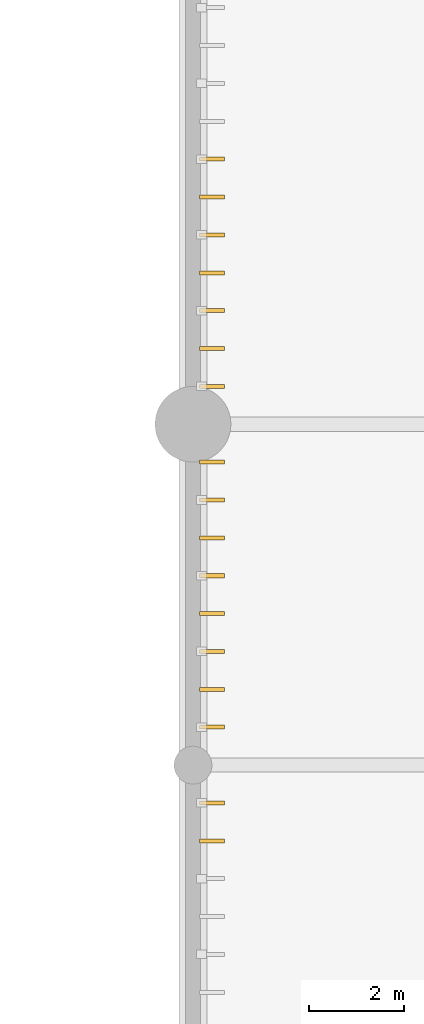
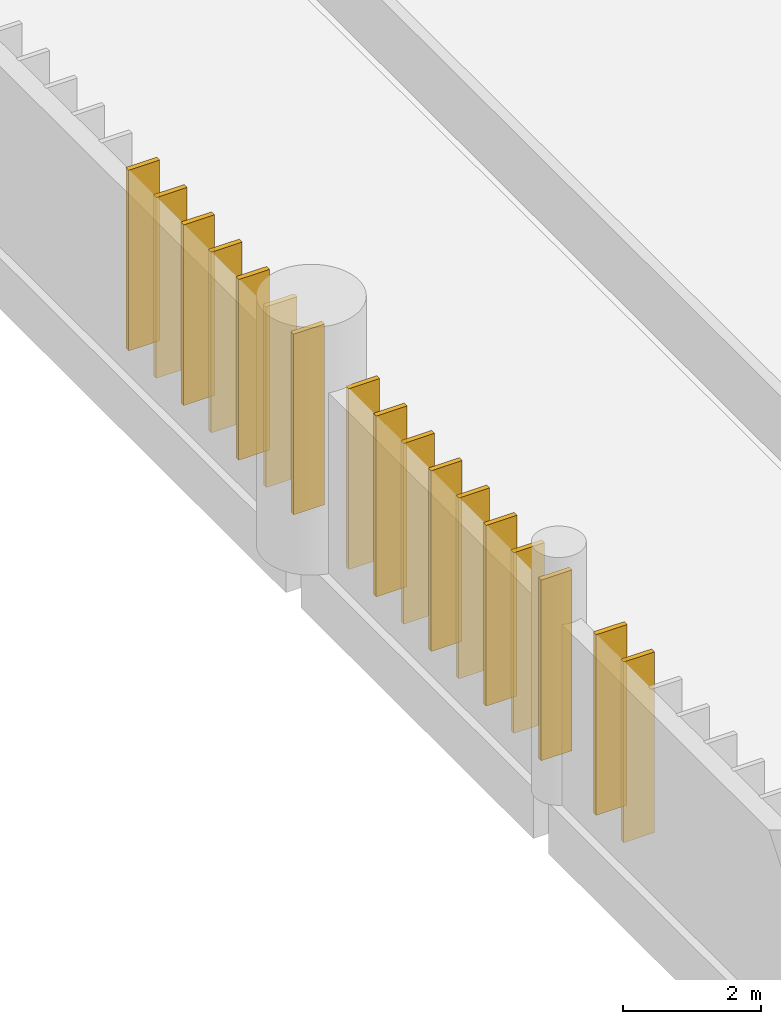
# One storey, part 71 of 81: 17 coverings, 9 shading devices.
"""IFC4 building model written with IfcOpenShell, lengths in metres."""

from ifc_helpers import new_model, si_unit, direction, frame, origin, origin_2d, place, context, subcontext, project, spatial, rectangle, extrude, material, layer, layer_set, type_object, element, save


model = new_model("IFC4")

# Units and contexts
model_context = context("Model", 3, precision=1e-05, world=origin(), true_north=direction((0.0, 1.0)))
body_context = subcontext(model_context, "Body", "Model", "MODEL_VIEW")
ifc_project = project(units=[si_unit("LENGTHUNIT", "METRE"), si_unit("AREAUNIT", "SQUARE_METRE"), si_unit("VOLUMEUNIT", "CUBIC_METRE"), si_unit("PLANEANGLEUNIT", "RADIAN"), si_unit("MASSUNIT", "GRAM", prefix="KILO")], contexts=[model_context])

# Site, building, storey
site_placement = place(None, origin())
site = spatial("IfcSite", under=ifc_project, at=site_placement, CompositionType="ELEMENT")
building_placement = place(site_placement, origin())
building = spatial("IfcBuilding", under=site, at=building_placement, Name="Qandorah Velis Arena", CompositionType="ELEMENT")
storey_placement = place(building_placement, frame((0.0, 0.0, 18.60009765625)))
storey = spatial("IfcBuildingStorey", under=building, at=storey_placement, Name="L04", CompositionType="ELEMENT", Elevation=18.60009765625)

# Coverings
ifc_material = material(Name="Champagne-bronze anodized aluminium 6063-T6", Category="aluminium")
ifc_layer = layer(ifc_material, 0.0849609375)
ifc_layer_set = layer_set([ifc_layer], Name="Champagne-bronze anodized aluminium 6063-T6")
covering_type = type_object("IfcCoveringType", Name="ARC-COV-FIN520", PredefinedType="CLADDING", material=ifc_layer_set)
for number, where, z_axis, x_axis, name in (
    (1, (115.60205078125, 48.800048828125, 0.0), (0.0, 0.0, 1.0), (1.0, 0.0, 0.0), "Vertical champagne-bronze solar fin blade DRM-2-03-L04-016"),
    (2, (115.60205078125, 49.60009765625, 0.0), (0.0, 0.0, 1.0), (1.0, 0.0, 0.0), "Vertical champagne-bronze solar fin blade DRM-2-03-L04-017"),
    (3, (115.60205078125, 51.199951171875, 0.0), (0.0, 0.0, 1.0), (1.0, 0.0, 0.0), "Vertical champagne-bronze solar fin blade DRM-2-04-L04-001"),
    (4, (115.60205078125, 52.0, 0.0), (0.0, 0.0, 1.0), (1.0, 0.0, 0.0), "Vertical champagne-bronze solar fin blade DRM-2-04-L04-002"),
    (5, (115.60205078125, 52.800048828125, 0.0), (0.0, 0.0, 1.0), (1.0, 0.0, 0.0), "Vertical champagne-bronze solar fin blade DRM-2-04-L04-003"),
    (6, (115.60205078125, 53.60009765625, 0.0), (0.0, 0.0, 1.0), (1.0, 0.0, 0.0), "Vertical champagne-bronze solar fin blade DRM-2-04-L04-004"),
    (7, (115.60205078125, 54.39990234375, 0.0), (0.0, 0.0, 1.0), (1.0, 0.0, 0.0), "Vertical champagne-bronze solar fin blade DRM-2-04-L04-005"),
    (8, (115.60205078125, 55.199951171875, 0.0), (0.0, 0.0, 1.0), (1.0, 0.0, 0.0), "Vertical champagne-bronze solar fin blade DRM-2-04-L04-006"),
    (9, (115.60205078125, 56.0, 0.0), (0.0, 0.0, 1.0), (1.0, 0.0, 0.0), "Vertical champagne-bronze solar fin blade DRM-2-04-L04-007"),
    (10, (115.60205078125, 56.800048828125, 0.0), (0.0, 0.0, 1.0), (1.0, 0.0, 0.0), "Vertical champagne-bronze solar fin blade DRM-2-04-L04-008"),
    (11, (115.60205078125, 58.39990234375, 0.0), (0.0, 0.0, 1.0), (1.0, 0.0, 0.0), "Vertical champagne-bronze solar fin blade DRM-2-05-L04-001"),
    (12, (115.60205078125, 59.199951171875, 0.0), (0.0, 0.0, 1.0), (1.0, 0.0, 0.0), "Vertical champagne-bronze solar fin blade DRM-2-05-L04-002"),
    (13, (115.60205078125, 60.0, 0.0), (0.0, 0.0, 1.0), (1.0, 0.0, 0.0), "Vertical champagne-bronze solar fin blade DRM-2-05-L04-003"),
    (14, (115.60205078125, 60.800048828125, 0.0), (0.0, 0.0, 1.0), (1.0, 0.0, 0.0), "Vertical champagne-bronze solar fin blade DRM-2-05-L04-004"),
    (15, (115.60205078125, 61.60009765625, 0.0), (0.0, 0.0, 1.0), (1.0, 0.0, 0.0), "Vertical champagne-bronze solar fin blade DRM-2-05-L04-005"),
    (16, (115.60205078125, 62.39990234375, 0.0), (0.0, 0.0, 1.0), (1.0, 0.0, 0.0), "Vertical champagne-bronze solar fin blade DRM-2-05-L04-006"),
    (17, (115.60205078125, 63.199951171875, 0.0), (0.0, 0.0, 1.0), (1.0, 0.0, 0.0), "Vertical champagne-bronze solar fin blade DRM-2-05-L04-007"),
):
    element("IfcCovering", number, at=place(storey_placement, frame(where, z_axis=z_axis, x_axis=x_axis)), inside=storey, type_object=covering_type, Name=name, PredefinedType="CLADDING", context=body_context, shape_type="SweptSolid", body=[
        extrude(rectangle(XDim=0.52001953125, YDim=0.0849609375, at=origin_2d()), origin(), (0.0, 0.0, 1.0), 3.2099609375),
    ])

# Shading devices
shading_device_type = type_object("IfcShadingDeviceType", Name="ARC-SHD-FIN520", PredefinedType="USERDEFINED", material=ifc_material)
for number, where, z_axis, x_axis, name in (
    (18, (115.60205078125, 49.60009765625, 0.0), (0.0, 0.0, 1.0), (1.0, 0.0, 0.0), "Vertical aerofoil solar fin SF-0009"),
    (19, (115.60205078125, 51.199951171875, 0.0), (0.0, 0.0, 1.0), (1.0, 0.0, 0.0), "Vertical aerofoil solar fin SF-0019"),
    (20, (115.60205078125, 52.800048828125, 0.0), (0.0, 0.0, 1.0), (1.0, 0.0, 0.0), "Vertical aerofoil solar fin SF-0020"),
    (21, (115.60205078125, 54.39990234375, 0.0), (0.0, 0.0, 1.0), (1.0, 0.0, 0.0), "Vertical aerofoil solar fin SF-0021"),
    (22, (115.60205078125, 56.0, 0.0), (0.0, 0.0, 1.0), (1.0, 0.0, 0.0), "Vertical aerofoil solar fin SF-0022"),
    (23, (115.60205078125, 58.39990234375, 0.0), (0.0, 0.0, 1.0), (1.0, 0.0, 0.0), "Vertical aerofoil solar fin SF-0027"),
    (24, (115.60205078125, 60.0, 0.0), (0.0, 0.0, 1.0), (1.0, 0.0, 0.0), "Vertical aerofoil solar fin SF-0028"),
    (25, (115.60205078125, 61.60009765625, 0.0), (0.0, 0.0, 1.0), (1.0, 0.0, 0.0), "Vertical aerofoil solar fin SF-0029"),
    (26, (115.60205078125, 63.199951171875, 0.0), (0.0, 0.0, 1.0), (1.0, 0.0, 0.0), "Vertical aerofoil solar fin SF-0030"),
):
    element("IfcShadingDevice", number, at=place(storey_placement, frame(where, z_axis=z_axis, x_axis=x_axis)), inside=storey, type_object=shading_device_type, Name=name, ObjectType="SOLAR FIN", PredefinedType="USERDEFINED", context=body_context, shape_type="SweptSolid", body=[
        extrude(rectangle(XDim=0.52001953125, YDim=0.0849609375, at=origin_2d()), origin(), (0.0, 0.0, 1.0), 3.2099609375),
    ])

save(model, "model.ifc")
